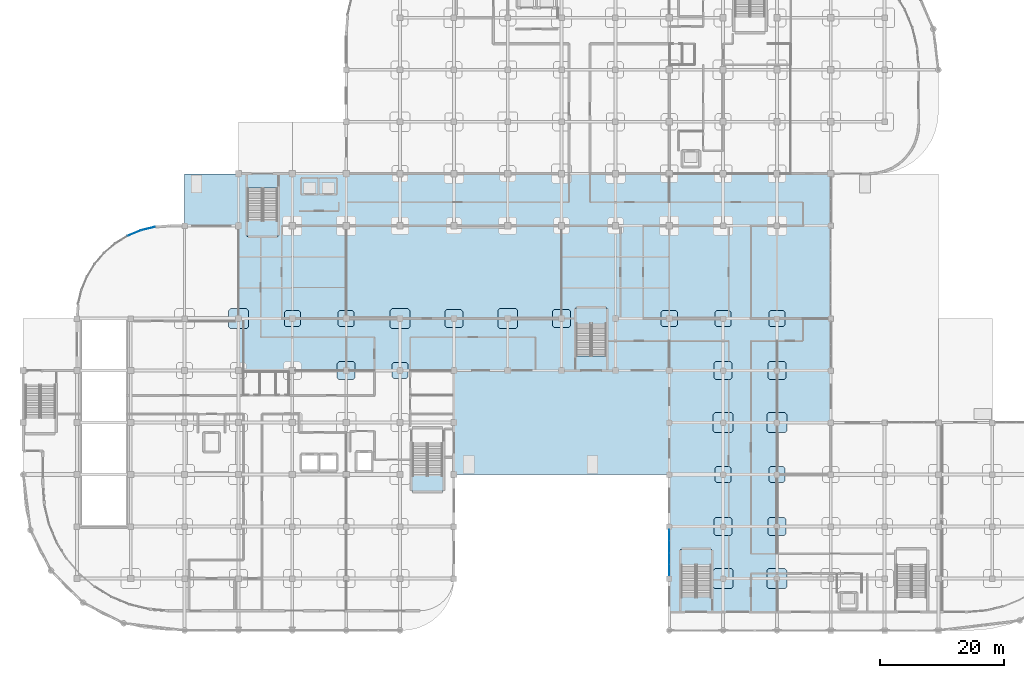
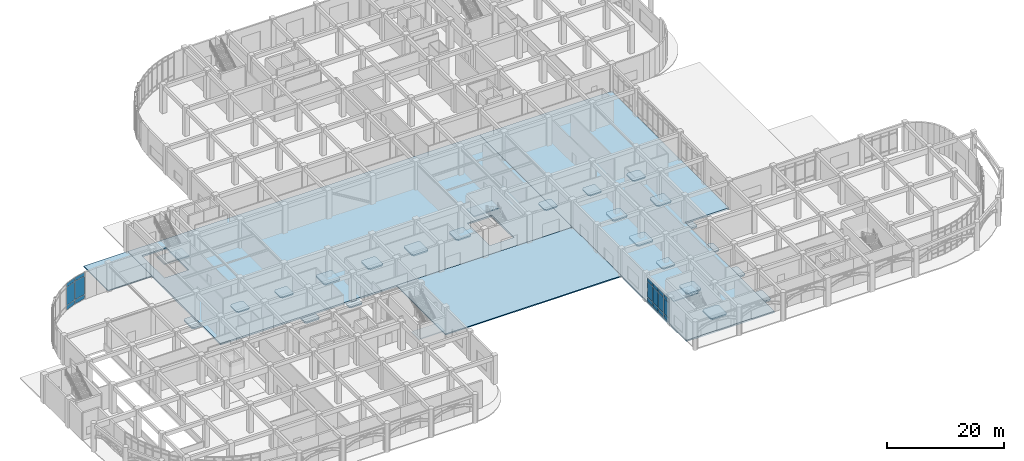
# One storey, part 52 of 82: 30 slabs, 18 plates, 7 elements without a shape of their own.
"""IFC4 building model written with IfcOpenShell, lengths in metres."""

from ifc_helpers import new_model, si_unit, derived_unit, direction, frame, origin, origin_2d, place, context, subcontext, project, spatial, polyline, rectangle, outline, extrude, material, layer, layer_set, type_object, element, aggregate, save


model = new_model("IFC4")

# Units and contexts
model_context = context("Model", 3, precision=1e-05, world=origin(), true_north=direction((0.0, 1.0)))
body_context = subcontext(model_context, "Body", "Model", "MODEL_VIEW")
ifc_project = project(units=[si_unit("LENGTHUNIT", "METRE"), si_unit("AREAUNIT", "SQUARE_METRE"), si_unit("VOLUMEUNIT", "CUBIC_METRE"), si_unit("PLANEANGLEUNIT", "RADIAN"), si_unit("MASSUNIT", "GRAM", prefix="KILO"), derived_unit("THERMALTRANSMITTANCEUNIT", [(si_unit("MASSUNIT", "GRAM", prefix="KILO"), 1), (si_unit("TIMEUNIT", "SECOND"), -3), (si_unit("THERMODYNAMICTEMPERATUREUNIT", "KELVIN"), -1)])], contexts=[model_context])

# Site, building, storey
site_placement = place(None, origin())
site = spatial("IfcSite", under=ifc_project, at=site_placement, CompositionType="ELEMENT")
building_placement = place(site_placement, origin())
building = spatial("IfcBuilding", under=site, at=building_placement, Name="Qinzheling Arcade Emporium", CompositionType="ELEMENT")
storey_placement = place(building_placement, origin())
storey = spatial("IfcBuildingStorey", under=building, at=storey_placement, Name="L01", CompositionType="ELEMENT", Elevation=0.0)

# Slabs
ifc_material_1 = material(Name="Concrete C40", Category="concrete")
ifc_layer_1 = layer(ifc_material_1, 0.235107421875, Name="Concrete C40", Category="concrete")
ifc_layer_set_1 = layer_set([ifc_layer_1], Name="Concrete C40")
slab_type_1 = type_object("IfcSlabType", Name="Column Head Drop Panel 2600x2600x235 C40", PredefinedType="USERDEFINED", material=ifc_layer_set_1)
slab_1_placement = place(storey_placement, frame((0.0, 0.0, -0.574951171875)))
element("IfcSlab", 1, at=slab_1_placement, inside=storey, type_object=slab_type_1, Name="Column Drop Panel DP-L01-13-G", ObjectType="DROP_PANEL", PredefinedType="USERDEFINED", context=body_context, shape_type="SweptSolid", body=[
    extrude(outline(polyline([(103.3798828125, 49.10009765625), (105.419921875, 49.10009765625), (105.699951171875, 49.3798828125), (105.699951171875, 51.419921875), (105.419921875, 51.699951171875), (103.3798828125, 51.699951171875), (103.10009765625, 51.419921875), (103.10009765625, 49.3798828125), (103.3798828125, 49.10009765625)])), origin(), (0.0, 0.0, 1.0), 0.23486328125),
])
slab_2_placement = place(storey_placement, frame((0.0, 0.0, -0.574951171875)))
element("IfcSlab", 2, at=slab_2_placement, inside=storey, type_object=slab_type_1, Name="Column Drop Panel DP-L01-14-D", ObjectType="DROP_PANEL", PredefinedType="USERDEFINED", context=body_context, shape_type="SweptSolid", body=[
    extrude(outline(polyline([(112.080078125, 23.89990234375), (114.1201171875, 23.89990234375), (114.39990234375, 24.179931640625), (114.39990234375, 26.219970703125), (114.1201171875, 26.5), (112.080078125, 26.5), (111.800048828125, 26.219970703125), (111.800048828125, 24.179931640625), (112.080078125, 23.89990234375)])), origin(), (0.0, 0.0, 1.0), 0.23486328125),
])
slab_3_placement = place(storey_placement, frame((0.0, 0.0, -0.574951171875)))
element("IfcSlab", 3, at=slab_3_placement, inside=storey, type_object=slab_type_1, Name="Column Drop Panel DP-L01-14-G", ObjectType="DROP_PANEL", PredefinedType="USERDEFINED", context=body_context, shape_type="SweptSolid", body=[
    extrude(outline(polyline([(112.080078125, 49.10009765625), (114.1201171875, 49.10009765625), (114.39990234375, 49.3798828125), (114.39990234375, 51.419921875), (114.1201171875, 51.699951171875), (112.080078125, 51.699951171875), (111.800048828125, 51.419921875), (111.800048828125, 49.3798828125), (112.080078125, 49.10009765625)])), origin(), (0.0, 0.0, 1.0), 0.23486328125),
])
slab_4_placement = place(storey_placement, frame((0.0, 0.0, -0.574951171875)))
element("IfcSlab", 4, at=slab_4_placement, inside=storey, type_object=slab_type_1, Name="Column Drop Panel DP-L01-15-D", ObjectType="DROP_PANEL", PredefinedType="USERDEFINED", context=body_context, shape_type="SweptSolid", body=[
    extrude(outline(polyline([(120.780029296875, 23.89990234375), (122.820068359375, 23.89990234375), (123.10009765625, 24.179931640625), (123.10009765625, 26.219970703125), (122.820068359375, 26.5), (120.780029296875, 26.5), (120.5, 26.219970703125), (120.5, 24.179931640625), (120.780029296875, 23.89990234375)])), origin(), (0.0, 0.0, 1.0), 0.23486328125),
])
slab_5_placement = place(storey_placement, frame((0.0, 0.0, -0.574951171875)))
element("IfcSlab", 5, at=slab_5_placement, inside=storey, type_object=slab_type_1, Name="Column Drop Panel DP-L01-15-G", ObjectType="DROP_PANEL", PredefinedType="USERDEFINED", context=body_context, shape_type="SweptSolid", body=[
    extrude(outline(polyline([(120.780029296875, 49.10009765625), (122.820068359375, 49.10009765625), (123.10009765625, 49.3798828125), (123.10009765625, 51.419921875), (122.820068359375, 51.699951171875), (120.780029296875, 51.699951171875), (120.5, 51.419921875), (120.5, 49.3798828125), (120.780029296875, 49.10009765625)])), origin(), (0.0, 0.0, 1.0), 0.23486328125),
])
slab_6_placement = place(storey_placement, frame((0.0, 0.0, -0.574951171875)))
element("IfcSlab", 6, at=slab_6_placement, inside=storey, type_object=slab_type_1, Name="Column Drop Panel DP-L01-6-G", ObjectType="DROP_PANEL", PredefinedType="USERDEFINED", context=body_context, shape_type="SweptSolid", body=[
    extrude(outline(polyline([(42.47998046875, 49.10009765625), (44.52001953125, 49.10009765625), (44.800048828125, 49.3798828125), (44.800048828125, 51.419921875), (44.52001953125, 51.699951171875), (42.47998046875, 51.699951171875), (42.199951171875, 51.419921875), (42.199951171875, 49.3798828125), (42.47998046875, 49.10009765625)])), origin(), (0.0, 0.0, 1.0), 0.23486328125),
])
slab_7_placement = place(storey_placement, frame((0.0, 0.0, -0.574951171875)))
element("IfcSlab", 7, at=slab_7_placement, inside=storey, type_object=slab_type_1, Name="Column Drop Panel DP-L01-7-G", ObjectType="DROP_PANEL", PredefinedType="USERDEFINED", context=body_context, shape_type="SweptSolid", body=[
    extrude(outline(polyline([(51.179931640625, 49.10009765625), (53.219970703125, 49.10009765625), (53.5, 49.3798828125), (53.5, 51.419921875), (53.219970703125, 51.699951171875), (51.179931640625, 51.699951171875), (50.89990234375, 51.419921875), (50.89990234375, 49.3798828125), (51.179931640625, 49.10009765625)])), origin(), (0.0, 0.0, 1.0), 0.23486328125),
])
slab_8_placement = place(storey_placement, frame((0.0, 0.0, -0.574951171875)))
element("IfcSlab", 8, at=slab_8_placement, inside=storey, type_object=slab_type_1, Name="Column Drop Panel DP-L01-8-F", ObjectType="DROP_PANEL", PredefinedType="USERDEFINED", context=body_context, shape_type="SweptSolid", body=[
    extrude(outline(polyline([(59.8798828125, 40.699951171875), (61.919921875, 40.699951171875), (62.199951171875, 40.97998046875), (62.199951171875, 43.02001953125), (61.919921875, 43.300048828125), (59.8798828125, 43.300048828125), (59.60009765625, 43.02001953125), (59.60009765625, 40.97998046875), (59.8798828125, 40.699951171875)])), origin(), (0.0, 0.0, 1.0), 0.23486328125),
])
ifc_layer_2 = layer(ifc_material_1, 0.27001953125, Name="Concrete C40", Category="concrete")
ifc_layer_set_2 = layer_set([ifc_layer_2], Name="Concrete C40")
slab_type_2 = type_object("IfcSlabType", Name="Column Head Drop Panel 2900x2900x270 C40", PredefinedType="USERDEFINED", material=ifc_layer_set_2)
slab_9_placement = place(storey_placement, frame((0.0, 0.0, -0.610107421875)))
element("IfcSlab", 9, at=slab_9_placement, inside=storey, type_object=slab_type_2, Name="Column Drop Panel DP-L01-11-G", ObjectType="DROP_PANEL", PredefinedType="USERDEFINED", context=body_context, shape_type="SweptSolid", body=[
    extrude(outline(polyline([(85.830078125, 48.949951171875), (88.169921875, 48.949951171875), (88.449951171875, 49.22998046875), (88.449951171875, 51.570068359375), (88.169921875, 51.85009765625), (85.830078125, 51.85009765625), (85.550048828125, 51.570068359375), (85.550048828125, 49.22998046875), (85.830078125, 48.949951171875)])), origin(), (0.0, 0.0, 1.0), 0.27001953125),
])
slab_10_placement = place(storey_placement, frame((0.0, 0.0, -0.610107421875)))
element("IfcSlab", 10, at=slab_10_placement, inside=storey, type_object=slab_type_2, Name="Column Drop Panel DP-L01-14-C", ObjectType="DROP_PANEL", PredefinedType="USERDEFINED", context=body_context, shape_type="SweptSolid", body=[
    extrude(outline(polyline([(111.929931640625, 15.35009765625), (114.27001953125, 15.35009765625), (114.550048828125, 15.6298828125), (114.550048828125, 17.969970703125), (114.27001953125, 18.25), (111.929931640625, 18.25), (111.64990234375, 17.969970703125), (111.64990234375, 15.6298828125), (111.929931640625, 15.35009765625)])), origin(), (0.0, 0.0, 1.0), 0.27001953125),
])
slab_11_placement = place(storey_placement, frame((0.0, 0.0, -0.610107421875)))
element("IfcSlab", 11, at=slab_11_placement, inside=storey, type_object=slab_type_2, Name="Column Drop Panel DP-L01-14-F", ObjectType="DROP_PANEL", PredefinedType="USERDEFINED", context=body_context, shape_type="SweptSolid", body=[
    extrude(outline(polyline([(111.929931640625, 40.550048828125), (114.27001953125, 40.550048828125), (114.550048828125, 40.830078125), (114.550048828125, 43.169921875), (114.27001953125, 43.449951171875), (111.929931640625, 43.449951171875), (111.64990234375, 43.169921875), (111.64990234375, 40.830078125), (111.929931640625, 40.550048828125)])), origin(), (0.0, 0.0, 1.0), 0.27001953125),
])
slab_12_placement = place(storey_placement, frame((0.0, 0.0, -0.610107421875)))
element("IfcSlab", 12, at=slab_12_placement, inside=storey, type_object=slab_type_2, Name="Column Drop Panel DP-L01-15-C", ObjectType="DROP_PANEL", PredefinedType="USERDEFINED", context=body_context, shape_type="SweptSolid", body=[
    extrude(outline(polyline([(120.6298828125, 15.35009765625), (122.969970703125, 15.35009765625), (123.25, 15.6298828125), (123.25, 17.969970703125), (122.969970703125, 18.25), (120.6298828125, 18.25), (120.35009765625, 17.969970703125), (120.35009765625, 15.6298828125), (120.6298828125, 15.35009765625)])), origin(), (0.0, 0.0, 1.0), 0.27001953125),
])
slab_13_placement = place(storey_placement, frame((0.0, 0.0, -0.610107421875)))
element("IfcSlab", 13, at=slab_13_placement, inside=storey, type_object=slab_type_2, Name="Column Drop Panel DP-L01-15-F", ObjectType="DROP_PANEL", PredefinedType="USERDEFINED", context=body_context, shape_type="SweptSolid", body=[
    extrude(outline(polyline([(120.6298828125, 40.550048828125), (122.969970703125, 40.550048828125), (123.25, 40.830078125), (123.25, 43.169921875), (122.969970703125, 43.449951171875), (120.6298828125, 43.449951171875), (120.35009765625, 43.169921875), (120.35009765625, 40.830078125), (120.6298828125, 40.550048828125)])), origin(), (0.0, 0.0, 1.0), 0.27001953125),
])
slab_14_placement = place(storey_placement, frame((0.0, 0.0, -0.610107421875)))
element("IfcSlab", 14, at=slab_14_placement, inside=storey, type_object=slab_type_2, Name="Column Drop Panel DP-L01-7-F", ObjectType="DROP_PANEL", PredefinedType="USERDEFINED", context=body_context, shape_type="SweptSolid", body=[
    extrude(outline(polyline([(51.030029296875, 40.550048828125), (53.3701171875, 40.550048828125), (53.64990234375, 40.830078125), (53.64990234375, 43.169921875), (53.3701171875, 43.449951171875), (51.030029296875, 43.449951171875), (50.75, 43.169921875), (50.75, 40.830078125), (51.030029296875, 40.550048828125)])), origin(), (0.0, 0.0, 1.0), 0.27001953125),
])
slab_15_placement = place(storey_placement, frame((0.0, 0.0, -0.610107421875)))
element("IfcSlab", 15, at=slab_15_placement, inside=storey, type_object=slab_type_2, Name="Column Drop Panel DP-L01-9-G", ObjectType="DROP_PANEL", PredefinedType="USERDEFINED", context=body_context, shape_type="SweptSolid", body=[
    extrude(outline(polyline([(68.429931640625, 48.949951171875), (70.77001953125, 48.949951171875), (71.050048828125, 49.22998046875), (71.050048828125, 51.570068359375), (70.77001953125, 51.85009765625), (68.429931640625, 51.85009765625), (68.14990234375, 51.570068359375), (68.14990234375, 49.22998046875), (68.429931640625, 48.949951171875)])), origin(), (0.0, 0.0, 1.0), 0.27001953125),
])
ifc_layer_3 = layer(ifc_material_1, 0.300048828125, Name="Concrete C40", Category="concrete")
ifc_layer_set_3 = layer_set([ifc_layer_3], Name="Concrete C40")
slab_type_3 = type_object("IfcSlabType", Name="Column Head Drop Panel 3200x3200x300 C40", PredefinedType="USERDEFINED", material=ifc_layer_set_3)
slab_16_placement = place(storey_placement, frame((0.0, 0.0, -0.639892578125)))
element("IfcSlab", 16, at=slab_16_placement, inside=storey, type_object=slab_type_3, Name="Column Drop Panel DP-L01-10-G", ObjectType="DROP_PANEL", PredefinedType="USERDEFINED", context=body_context, shape_type="SweptSolid", body=[
    extrude(outline(polyline([(76.97998046875, 48.800048828125), (79.6201171875, 48.800048828125), (79.89990234375, 49.080078125), (79.89990234375, 51.719970703125), (79.6201171875, 52.0), (76.97998046875, 52.0), (76.699951171875, 51.719970703125), (76.699951171875, 49.080078125), (76.97998046875, 48.800048828125)])), origin(), (0.0, 0.0, 1.0), 0.2998046875),
])
slab_17_placement = place(storey_placement, frame((0.0, 0.0, -0.639892578125)))
element("IfcSlab", 17, at=slab_17_placement, inside=storey, type_object=slab_type_3, Name="Column Drop Panel DP-L01-14-B", ObjectType="DROP_PANEL", PredefinedType="USERDEFINED", context=body_context, shape_type="SweptSolid", body=[
    extrude(outline(polyline([(111.780029296875, 6.800048828125), (114.419921875, 6.800048828125), (114.699951171875, 7.080078125), (114.699951171875, 9.719970703125), (114.419921875, 10.0), (111.780029296875, 10.0), (111.5, 9.719970703125), (111.5, 7.080078125), (111.780029296875, 6.800048828125)])), origin(), (0.0, 0.0, 1.0), 0.2998046875),
])
slab_18_placement = place(storey_placement, frame((0.0, 0.0, -0.639892578125)))
element("IfcSlab", 18, at=slab_18_placement, inside=storey, type_object=slab_type_3, Name="Column Drop Panel DP-L01-14-E", ObjectType="DROP_PANEL", PredefinedType="USERDEFINED", context=body_context, shape_type="SweptSolid", body=[
    extrude(outline(polyline([(111.780029296875, 32.0), (114.419921875, 32.0), (114.699951171875, 32.280029296875), (114.699951171875, 34.919921875), (114.419921875, 35.199951171875), (111.780029296875, 35.199951171875), (111.5, 34.919921875), (111.5, 32.280029296875), (111.780029296875, 32.0)])), origin(), (0.0, 0.0, 1.0), 0.2998046875),
])
slab_19_placement = place(storey_placement, frame((0.0, 0.0, -0.639892578125)))
element("IfcSlab", 19, at=slab_19_placement, inside=storey, type_object=slab_type_3, Name="Column Drop Panel DP-L01-15-B", ObjectType="DROP_PANEL", PredefinedType="USERDEFINED", context=body_context, shape_type="SweptSolid", body=[
    extrude(outline(polyline([(120.47998046875, 6.800048828125), (123.1201171875, 6.800048828125), (123.39990234375, 7.080078125), (123.39990234375, 9.719970703125), (123.1201171875, 10.0), (120.47998046875, 10.0), (120.199951171875, 9.719970703125), (120.199951171875, 7.080078125), (120.47998046875, 6.800048828125)])), origin(), (0.0, 0.0, 1.0), 0.2998046875),
])
slab_20_placement = place(storey_placement, frame((0.0, 0.0, -0.639892578125)))
element("IfcSlab", 20, at=slab_20_placement, inside=storey, type_object=slab_type_3, Name="Column Drop Panel DP-L01-15-E", ObjectType="DROP_PANEL", PredefinedType="USERDEFINED", context=body_context, shape_type="SweptSolid", body=[
    extrude(outline(polyline([(120.47998046875, 32.0), (123.1201171875, 32.0), (123.39990234375, 32.280029296875), (123.39990234375, 34.919921875), (123.1201171875, 35.199951171875), (120.47998046875, 35.199951171875), (120.199951171875, 34.919921875), (120.199951171875, 32.280029296875), (120.47998046875, 32.0)])), origin(), (0.0, 0.0, 1.0), 0.2998046875),
])
slab_21_placement = place(storey_placement, frame((0.0, 0.0, -0.639892578125)))
element("IfcSlab", 21, at=slab_21_placement, inside=storey, type_object=slab_type_3, Name="Column Drop Panel DP-L01-5-G", ObjectType="DROP_PANEL", PredefinedType="USERDEFINED", context=body_context, shape_type="SweptSolid", body=[
    extrude(outline(polyline([(33.47998046875, 48.800048828125), (36.1201171875, 48.800048828125), (36.39990234375, 49.080078125), (36.39990234375, 51.719970703125), (36.1201171875, 52.0), (33.47998046875, 52.0), (33.199951171875, 51.719970703125), (33.199951171875, 49.080078125), (33.47998046875, 48.800048828125)])), origin(), (0.0, 0.0, 1.0), 0.2998046875),
])
slab_22_placement = place(storey_placement, frame((0.0, 0.0, -0.639892578125)))
element("IfcSlab", 22, at=slab_22_placement, inside=storey, type_object=slab_type_3, Name="Column Drop Panel DP-L01-8-G", ObjectType="DROP_PANEL", PredefinedType="USERDEFINED", context=body_context, shape_type="SweptSolid", body=[
    extrude(outline(polyline([(59.580078125, 48.800048828125), (62.219970703125, 48.800048828125), (62.5, 49.080078125), (62.5, 51.719970703125), (62.219970703125, 52.0), (59.580078125, 52.0), (59.300048828125, 51.719970703125), (59.300048828125, 49.080078125), (59.580078125, 48.800048828125)])), origin(), (0.0, 0.0, 1.0), 0.2998046875),
])
ifc_layer_4 = layer(ifc_material_1, 0.219970703125, Name="Concrete C40", Category="concrete")
ifc_layer_set_4 = layer_set([ifc_layer_4], Name="Concrete C40")
slab_type_4 = type_object("IfcSlabType", Name="Exterior Entry Driveway Paving Slab 220 C40", PredefinedType="FLOOR", material=ifc_layer_set_4)
slab_23_placement = place(storey_placement, frame((0.0, 0.0, -0.219970703125)))
element("IfcSlab", 23, at=slab_23_placement, inside=storey, type_object=slab_type_4, Name="Arcade and Court Paving SLB-L01-COURT-NW-ENTRY", PredefinedType="FLOOR", context=body_context, shape_type="SweptSolid", body=[
    extrude(outline(polyline([(34.800048828125, 65.39990234375), (34.800048828125, 73.800048828125), (26.10009765625, 73.800048828125), (26.10009765625, 65.39990234375), (34.800048828125, 65.39990234375)])), origin(), (0.0, 0.0, 1.0), 0.219970703125),
])
slab_24_placement = place(storey_placement, frame((0.0, 0.0, -0.219970703125)))
element("IfcSlab", 24, at=slab_24_placement, inside=storey, type_object=slab_type_4, Name="Arcade and Court Paving SLB-L01-COURT-S-FORECOURT", PredefinedType="FLOOR", context=body_context, shape_type="SweptSolid", body=[
    extrude(outline(polyline([(104.39990234375, 25.199951171875), (104.39990234375, 42.0), (69.60009765625, 42.0), (69.60009765625, 25.199951171875), (104.39990234375, 25.199951171875)])), origin(), (0.0, 0.0, 1.0), 0.219970703125),
])
ifc_layer_5 = layer(ifc_material_1, 0.340087890625, Name="Concrete C40", Category="concrete")
ifc_layer_set_5 = layer_set([ifc_layer_5], Name="Concrete C40")
slab_type_5 = type_object("IfcSlabType", Name="Ground Mercantile & Dock Slab 340 C40", PredefinedType="FLOOR", material=ifc_layer_set_5)
slab_25_placement = place(storey_placement, frame((0.0, 0.0, -0.340087890625)))
element("IfcSlab", 25, at=slab_25_placement, inside=storey, type_object=slab_type_5, Name="Floor Slab SLB-L01-V2", PredefinedType="FLOOR", context=body_context, shape_type="SweptSolid", body=[
    extrude(outline(polyline([(34.800048828125, 42.0), (104.39990234375, 42.0), (104.39990234375, 73.800048828125), (34.800048828125, 73.800048828125), (34.800048828125, 42.0)]), holes=[polyline([(94.18994140625, 44.324951171875), (89.39990234375, 44.324951171875), (89.39990234375, 52.0), (94.18994140625, 52.0), (94.18994140625, 44.324951171875)]), polyline([(41.090087890625, 63.800048828125), (36.300048828125, 63.800048828125), (36.300048828125, 71.47509765625), (41.090087890625, 71.47509765625), (41.090087890625, 63.800048828125)])]), origin(), (0.0, 0.0, 1.0), 0.340087890625),
])
slab_26_placement = place(storey_placement, frame((0.0, 0.0, -0.340087890625)))
element("IfcSlab", 26, at=slab_26_placement, inside=storey, type_object=slab_type_5, Name="Floor Slab SLB-L01-V3", PredefinedType="FLOOR", context=body_context, shape_type="SweptSolid", body=[
    extrude(outline(polyline([(104.39990234375, 3.0), (121.800048828125, 3.0), (121.800048828125, 33.60009765625), (130.5, 33.60009765625), (130.5, 73.800048828125), (104.39990234375, 73.800048828125), (104.39990234375, 3.0)])), origin(), (0.0, 0.0, 1.0), 0.340087890625),
])

# Curtain wall, plates
ifc_material_2 = material(Name="Anodised aluminium and solar-control double glazing", Category="aluminium")
ifc_layer_6 = layer(ifc_material_2, 0.159912109375, Name="Anodised aluminium and solar-control double glazing", Category="aluminium")
ifc_layer_set_6 = layer_set([ifc_layer_6], Name="Anodised aluminium and solar-control double glazing")
curtain_wall_type_1 = type_object("IfcCurtainWallType", Name="Curved Ribbon Sales Curtain Wall", PredefinedType="NOTDEFINED", material=ifc_layer_set_6)
curtain_wall_1_placement = place(storey_placement, origin())
curtain_wall_1 = element("IfcCurtainWall", 27, at=curtain_wall_1_placement, inside=storey, type_object=curtain_wall_type_1, Name="Curtain Wall CW-L01-025", PredefinedType="NOTDEFINED")
ifc_material_3 = material(Name="Laminated solar-control double glazing", Category="glass")
ifc_layer_7 = layer(ifc_material_3, 0.031005859375, Name="Laminated solar-control double glazing", Category="glass")
ifc_layer_set_7 = layer_set([ifc_layer_7], Name="Laminated solar-control double glazing")
plate_type_1 = type_object("IfcPlateType", Name="Low-E Double Glazed Curtain Panel 31mm", PredefinedType="CURTAIN_PANEL", material=ifc_layer_set_7)
plate_1_placement = place(storey_placement, frame((17.9775390625, 64.215576171875, 0.06005859375), z_axis=(0.0, 0.0, 1.0), x_axis=(0.923866691535, 0.382714431752, 0.0)))
plate_1 = element("IfcPlate", 28, at=plate_1_placement, type_object=plate_type_1, Name="CW02 panel 1.1", PredefinedType="CURTAIN_PANEL", context=body_context, shape_type="SweptSolid", body=[
    extrude(rectangle(XDim=2.234130859375, YDim=0.031005859375, at=origin_2d()), origin(), (0.0, 0.0, 1.0), 0.860107421875),
])
plate_2_placement = place(storey_placement, frame((17.9775390625, 64.215576171875, 0.97998046875), z_axis=(0.0, 0.0, 1.0), x_axis=(0.923866691535, 0.382714431752, 0.0)))
plate_2 = element("IfcPlate", 29, at=plate_2_placement, type_object=plate_type_1, Name="CW02 panel 1.2", PredefinedType="CURTAIN_PANEL", context=body_context, shape_type="SweptSolid", body=[
    extrude(rectangle(XDim=2.234130859375, YDim=0.031005859375, at=origin_2d()), origin(), (0.0, 0.0, 1.0), 3.800048828125),
])
plate_3_placement = place(storey_placement, frame((17.9775390625, 64.215576171875, 4.83984375), z_axis=(0.0, 0.0, 1.0), x_axis=(0.923866691535, 0.382714431752, 0.0)))
plate_3 = element("IfcPlate", 30, at=plate_3_placement, type_object=plate_type_1, Name="CW02 panel 1.3", PredefinedType="CURTAIN_PANEL", context=body_context, shape_type="SweptSolid", body=[
    extrude(rectangle(XDim=2.234130859375, YDim=0.031005859375, at=origin_2d()), origin(), (0.0, 0.0, 1.0), 0.760009765625),
])
aggregate(curtain_wall_1, [plate_1, plate_2, plate_3])

ifc_layer_8 = layer(ifc_material_2, 0.159912109375, Name="Anodised aluminium and solar-control double glazing", Category="aluminium")
ifc_layer_set_8 = layer_set([ifc_layer_8], Name="Anodised aluminium and solar-control double glazing")
curtain_wall_type_2 = type_object("IfcCurtainWallType", Name="Street Arcade Stick Curtain Wall", PredefinedType="NOTDEFINED", material=ifc_layer_set_8)
curtain_wall_2_placement = place(storey_placement, origin())
curtain_wall_2 = element("IfcCurtainWall", 31, at=curtain_wall_2_placement, inside=storey, type_object=curtain_wall_type_2, Name="Curtain Wall CW-L01-010", PredefinedType="NOTDEFINED")
ifc_layer_9 = layer(ifc_material_3, 0.031982421875, Name="Laminated solar-control double glazing", Category="glass")
ifc_layer_set_9 = layer_set([ifc_layer_9], Name="Laminated solar-control double glazing")
plate_type_2 = type_object("IfcPlateType", Name="Low-E Double Glazed Curtain Panel 32mm", PredefinedType="CURTAIN_PANEL", material=ifc_layer_set_9)
plate_4_placement = place(storey_placement, frame((104.39990234375, 9.803955078125, 0.06005859375), z_axis=(0.0, 0.0, 1.0), x_axis=(0.0, 1.0, 0.0)))
plate_4 = element("IfcPlate", 32, at=plate_4_placement, type_object=plate_type_2, Name="CW01 panel 1.1", PredefinedType="CURTAIN_PANEL", context=body_context, shape_type="SweptSolid", body=[
    extrude(rectangle(XDim=1.783935546875, YDim=0.031982421875, at=origin_2d()), origin(), (0.0, 0.0, 1.0), 0.860107421875),
])
plate_5_placement = place(storey_placement, frame((104.39990234375, 9.803955078125, 0.97998046875), z_axis=(0.0, 0.0, 1.0), x_axis=(0.0, 1.0, 0.0)))
plate_5 = element("IfcPlate", 33, at=plate_5_placement, type_object=plate_type_2, Name="CW01 panel 1.2", PredefinedType="CURTAIN_PANEL", context=body_context, shape_type="SweptSolid", body=[
    extrude(rectangle(XDim=1.783935546875, YDim=0.031982421875, at=origin_2d()), origin(), (0.0, 0.0, 1.0), 3.195068359375),
])
plate_6_placement = place(storey_placement, frame((104.39990234375, 9.803955078125, 4.23486328125), z_axis=(0.0, 0.0, 1.0), x_axis=(0.0, 1.0, 0.0)))
plate_6 = element("IfcPlate", 34, at=plate_6_placement, type_object=plate_type_2, Name="CW01 panel 1.3", PredefinedType="CURTAIN_PANEL", context=body_context, shape_type="SweptSolid", body=[
    extrude(rectangle(XDim=1.783935546875, YDim=0.031982421875, at=origin_2d()), origin(), (0.0, 0.0, 1.0), 0.760009765625),
])
plate_7_placement = place(storey_placement, frame((104.39990234375, 11.6630859375, 0.06005859375), z_axis=(0.0, 0.0, 1.0), x_axis=(0.0, 1.0, 0.0)))
plate_7 = element("IfcPlate", 35, at=plate_7_placement, type_object=plate_type_2, Name="CW01 panel 2.1", PredefinedType="CURTAIN_PANEL", context=body_context, shape_type="SweptSolid", body=[
    extrude(rectangle(XDim=1.81396484375, YDim=0.031982421875, at=origin_2d()), origin(), (0.0, 0.0, 1.0), 0.860107421875),
])
plate_8_placement = place(storey_placement, frame((104.39990234375, 11.6630859375, 0.97998046875), z_axis=(0.0, 0.0, 1.0), x_axis=(0.0, 1.0, 0.0)))
plate_8 = element("IfcPlate", 36, at=plate_8_placement, type_object=plate_type_2, Name="CW01 panel 2.2", PredefinedType="CURTAIN_PANEL", context=body_context, shape_type="SweptSolid", body=[
    extrude(rectangle(XDim=1.81396484375, YDim=0.031982421875, at=origin_2d()), origin(), (0.0, 0.0, 1.0), 3.195068359375),
])
plate_9_placement = place(storey_placement, frame((104.39990234375, 11.6630859375, 4.23486328125), z_axis=(0.0, 0.0, 1.0), x_axis=(0.0, 1.0, 0.0)))
plate_9 = element("IfcPlate", 37, at=plate_9_placement, type_object=plate_type_2, Name="CW01 panel 2.3", PredefinedType="CURTAIN_PANEL", context=body_context, shape_type="SweptSolid", body=[
    extrude(rectangle(XDim=1.81396484375, YDim=0.031982421875, at=origin_2d()), origin(), (0.0, 0.0, 1.0), 0.760009765625),
])
plate_10_placement = place(storey_placement, frame((104.39990234375, 13.537109375, 0.06005859375), z_axis=(0.0, 0.0, 1.0), x_axis=(0.0, 1.0, 0.0)))
plate_10 = element("IfcPlate", 38, at=plate_10_placement, type_object=plate_type_2, Name="CW01 panel 3.1", PredefinedType="CURTAIN_PANEL", context=body_context, shape_type="SweptSolid", body=[
    extrude(rectangle(XDim=1.81396484375, YDim=0.031982421875, at=origin_2d()), origin(), (0.0, 0.0, 1.0), 0.860107421875),
])
plate_11_placement = place(storey_placement, frame((104.39990234375, 13.537109375, 0.97998046875), z_axis=(0.0, 0.0, 1.0), x_axis=(0.0, 1.0, 0.0)))
plate_11 = element("IfcPlate", 39, at=plate_11_placement, type_object=plate_type_2, Name="CW01 panel 3.2", PredefinedType="CURTAIN_PANEL", context=body_context, shape_type="SweptSolid", body=[
    extrude(rectangle(XDim=1.81396484375, YDim=0.031982421875, at=origin_2d()), origin(), (0.0, 0.0, 1.0), 3.195068359375),
])
plate_12_placement = place(storey_placement, frame((104.39990234375, 13.537109375, 4.23486328125), z_axis=(0.0, 0.0, 1.0), x_axis=(0.0, 1.0, 0.0)))
plate_12 = element("IfcPlate", 40, at=plate_12_placement, type_object=plate_type_2, Name="CW01 panel 3.3", PredefinedType="CURTAIN_PANEL", context=body_context, shape_type="SweptSolid", body=[
    extrude(rectangle(XDim=1.81396484375, YDim=0.031982421875, at=origin_2d()), origin(), (0.0, 0.0, 1.0), 0.760009765625),
])
plate_13_placement = place(storey_placement, frame((104.39990234375, 15.39599609375, 0.06005859375), z_axis=(0.0, 0.0, 1.0), x_axis=(0.0, 1.0, 0.0)))
plate_13 = element("IfcPlate", 41, at=plate_13_placement, type_object=plate_type_2, Name="CW01 panel 4.1", PredefinedType="CURTAIN_PANEL", context=body_context, shape_type="SweptSolid", body=[
    extrude(rectangle(XDim=1.783935546875, YDim=0.031982421875, at=origin_2d()), origin(), (0.0, 0.0, 1.0), 0.860107421875),
])
plate_14_placement = place(storey_placement, frame((104.39990234375, 15.39599609375, 0.97998046875), z_axis=(0.0, 0.0, 1.0), x_axis=(0.0, 1.0, 0.0)))
plate_14 = element("IfcPlate", 42, at=plate_14_placement, type_object=plate_type_2, Name="CW01 panel 4.2", PredefinedType="CURTAIN_PANEL", context=body_context, shape_type="SweptSolid", body=[
    extrude(rectangle(XDim=1.783935546875, YDim=0.031982421875, at=origin_2d()), origin(), (0.0, 0.0, 1.0), 3.195068359375),
])
plate_15_placement = place(storey_placement, frame((104.39990234375, 15.39599609375, 4.23486328125), z_axis=(0.0, 0.0, 1.0), x_axis=(0.0, 1.0, 0.0)))
plate_15 = element("IfcPlate", 43, at=plate_15_placement, type_object=plate_type_2, Name="CW01 panel 4.3", PredefinedType="CURTAIN_PANEL", context=body_context, shape_type="SweptSolid", body=[
    extrude(rectangle(XDim=1.783935546875, YDim=0.031982421875, at=origin_2d()), origin(), (0.0, 0.0, 1.0), 0.760009765625),
])
aggregate(curtain_wall_2, [plate_4, plate_5, plate_6, plate_7, plate_8, plate_9, plate_10, plate_11, plate_12, plate_13, plate_14, plate_15])

curtain_wall_3_placement = place(storey_placement, origin())
curtain_wall_3 = element("IfcCurtainWall", 44, at=curtain_wall_3_placement, inside=storey, type_object=curtain_wall_type_1, Name="Curtain Wall CW-L01-026", PredefinedType="NOTDEFINED")
plate_16_placement = place(storey_placement, frame((20.208984375, 64.9404296875, 0.06005859375), z_axis=(0.0, 0.0, 1.0), x_axis=(0.972398874145, 0.233324729854, 0.0)))
plate_16 = element("IfcPlate", 45, at=plate_16_placement, type_object=plate_type_2, Name="CW02 panel 1.1", PredefinedType="CURTAIN_PANEL", context=body_context, shape_type="SweptSolid", body=[
    extrude(rectangle(XDim=2.23291015625, YDim=0.031982421875, at=origin_2d()), origin(), (0.0, 0.0, 1.0), 0.860107421875),
])
plate_17_placement = place(storey_placement, frame((20.208984375, 64.9404296875, 0.97998046875), z_axis=(0.0, 0.0, 1.0), x_axis=(0.972398874145, 0.233324729854, 0.0)))
plate_17 = element("IfcPlate", 46, at=plate_17_placement, type_object=plate_type_2, Name="CW02 panel 1.2", PredefinedType="CURTAIN_PANEL", context=body_context, shape_type="SweptSolid", body=[
    extrude(rectangle(XDim=2.23291015625, YDim=0.031982421875, at=origin_2d()), origin(), (0.0, 0.0, 1.0), 3.800048828125),
])
plate_18_placement = place(storey_placement, frame((20.208984375, 64.9404296875, 4.83984375), z_axis=(0.0, 0.0, 1.0), x_axis=(0.972398874145, 0.233324729854, 0.0)))
plate_18 = element("IfcPlate", 47, at=plate_18_placement, type_object=plate_type_2, Name="CW02 panel 1.3", PredefinedType="CURTAIN_PANEL", context=body_context, shape_type="SweptSolid", body=[
    extrude(rectangle(XDim=2.23291015625, YDim=0.031982421875, at=origin_2d()), origin(), (0.0, 0.0, 1.0), 0.760009765625),
])
aggregate(curtain_wall_3, [plate_16, plate_17, plate_18])

# Stair, slab
stair_type = type_object("IfcStairType", Name="Cast-in-Situ Dog-Leg Escape Stair H6000", PredefinedType="HALF_TURN_STAIR", material=ifc_material_1)
stair_1_placement = place(storey_placement, origin())
stair_1 = element("IfcStair", 48, at=stair_1_placement, inside=storey, type_object=stair_type, Name="L01 ST01", PredefinedType="HALF_TURN_STAIR")
ifc_layer_10 = layer(ifc_material_1, 0.199951171875, Name="Concrete C40", Category="concrete")
ifc_layer_set_10 = layer_set([ifc_layer_10], Name="Concrete C40")
slab_type_6 = type_object("IfcSlabType", Name="Stair Half-Turn Landing Slab 200 C40", PredefinedType="LANDING", material=ifc_layer_set_10)
slab_27_placement = place(storey_placement, frame((0.0, 0.0, 2.800048828125)))
slab_27 = element("IfcSlab", 49, at=slab_27_placement, type_object=slab_type_6, Name="ST01 landing 1", PredefinedType="LANDING", context=body_context, shape_type="SweptSolid", body=[
    extrude(outline(polyline([(62.830078125, 25.080078125), (67.860107421875, 25.080078125), (67.860107421875, 22.47998046875), (62.830078125, 22.47998046875), (62.830078125, 25.080078125)])), origin(), (0.0, 0.0, 1.0), 0.199951171875),
])
aggregate(stair_1, [slab_27])

stair_2_placement = place(storey_placement, origin())
stair_2 = element("IfcStair", 50, at=stair_2_placement, inside=storey, type_object=stair_type, Name="L01 ST03", PredefinedType="HALF_TURN_STAIR")
slab_28_placement = place(storey_placement, frame((0.0, 0.0, 2.800048828125)))
slab_28 = element("IfcSlab", 51, at=slab_28_placement, type_object=slab_type_6, Name="ST03 landing 1", PredefinedType="LANDING", context=body_context, shape_type="SweptSolid", body=[
    extrude(outline(polyline([(36.179931640625, 66.280029296875), (41.2099609375, 66.280029296875), (41.2099609375, 63.679931640625), (36.179931640625, 63.679931640625), (36.179931640625, 66.280029296875)])), origin(), (0.0, 0.0, 1.0), 0.199951171875),
])
aggregate(stair_2, [slab_28])

stair_3_placement = place(storey_placement, origin())
stair_3 = element("IfcStair", 52, at=stair_3_placement, inside=storey, type_object=stair_type, Name="L01 ST04", PredefinedType="HALF_TURN_STAIR")
slab_29_placement = place(storey_placement, frame((0.0, 0.0, 2.800048828125)))
slab_29 = element("IfcSlab", 53, at=slab_29_placement, type_object=slab_type_6, Name="ST04 landing 1", PredefinedType="LANDING", context=body_context, shape_type="SweptSolid", body=[
    extrude(outline(polyline([(94.31005859375, 49.52001953125), (89.280029296875, 49.52001953125), (89.280029296875, 52.1201171875), (94.31005859375, 52.1201171875), (94.31005859375, 49.52001953125)])), origin(), (0.0, 0.0, 1.0), 0.199951171875),
])
aggregate(stair_3, [slab_29])

stair_4_placement = place(storey_placement, origin())
stair_4 = element("IfcStair", 54, at=stair_4_placement, inside=storey, type_object=stair_type, Name="L01 ST05", PredefinedType="HALF_TURN_STAIR")
slab_30_placement = place(storey_placement, frame((0.0, 0.0, 2.800048828125)))
slab_30 = element("IfcSlab", 55, at=slab_30_placement, type_object=slab_type_6, Name="ST05 landing 1", PredefinedType="LANDING", context=body_context, shape_type="SweptSolid", body=[
    extrude(outline(polyline([(111.264892578125, 10.52001953125), (106.235107421875, 10.52001953125), (106.235107421875, 13.1201171875), (111.264892578125, 13.1201171875), (111.264892578125, 10.52001953125)])), origin(), (0.0, 0.0, 1.0), 0.199951171875),
])
aggregate(stair_4, [slab_30])

save(model, "model.ifc")
